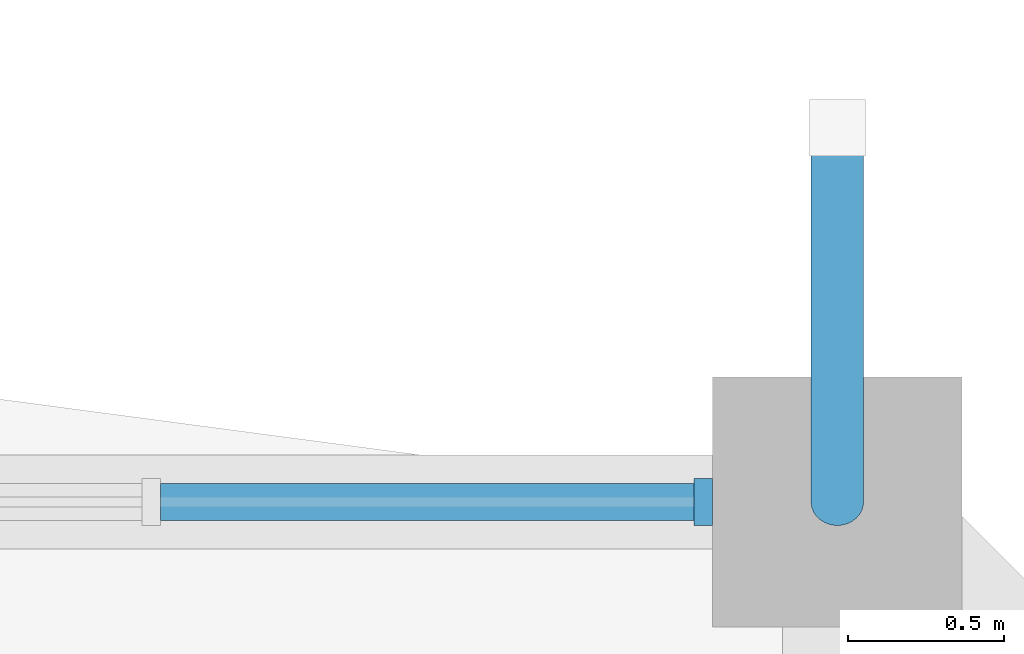
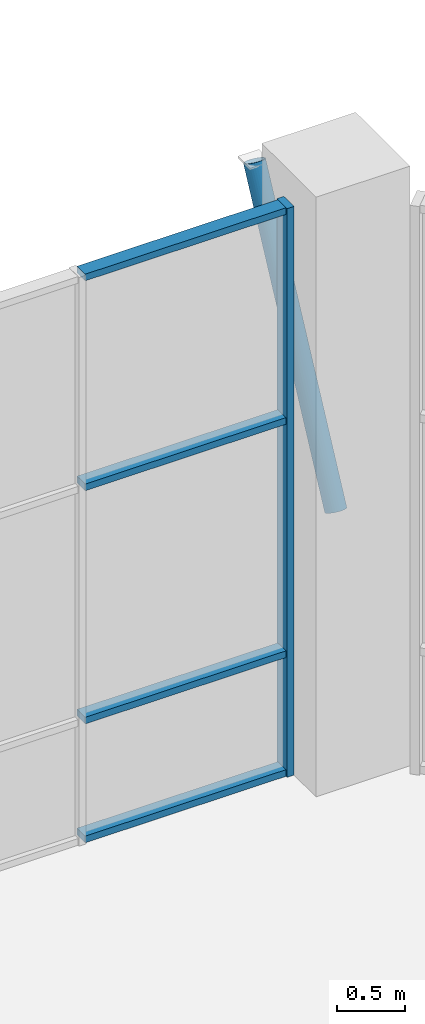
# One storey, part 47 of 122: 6 members, 1 element without a shape of its own.
"""IFC4 building model written with IfcOpenShell, lengths in metres."""

import ifcopenshell
import ifcopenshell.guid

model = None  # the IFC model being written
_history = None  # IfcOwnerHistory: only IFC2X3 demands one
_inside = {}  # id of a spatial element -> (the spatial element, [elements in it])
_under = {}  # id of a project, library or spatial element -> (it, [spatial elements below it])
_declared = {}  # id of a project -> (the project, [libraries it declares])
_typed = {}  # id of a type object -> (the type object, [elements of that type])
_made_of = {}  # id of a material, layer set ... -> (it, [elements and type objects made of it])


def new_model(schema):
    """Start an empty IFC model of exactly this schema.

    Asked for "IFC4X3", IfcOpenShell would pick the latest addendum, in which some entities
    have other attributes; the version numbers below select the first issue.
    IFC2X3 requires an IfcOwnerHistory on every rooted entity: one is made here for all.
    """
    global model, _history
    if schema == "IFC4X3":
        model = ifcopenshell.file(schema_version=(4, 3, 0, 0))
    else:
        model = ifcopenshell.file(schema=schema)
    _inside.clear()
    _under.clear()
    _declared.clear()
    _typed.clear()
    _made_of.clear()
    _history = None
    if model.schema == "IFC2X3":
        org = make("IfcOrganization", Name="unknown")
        user = make(
            "IfcPersonAndOrganization",
            ThePerson=make("IfcPerson", FamilyName="unknown"),
            TheOrganization=org,
        )
        app = make(
            "IfcApplication",
            ApplicationDeveloper=org,
            Version="unknown",
            ApplicationFullName="unknown",
            ApplicationIdentifier="unknown",
        )
        _history = make(
            "IfcOwnerHistory",
            OwningUser=user,
            OwningApplication=app,
            ChangeAction="ADDED",
            CreationDate=0,
        )
    return model


def make(cls, **values):
    """One entity of the class cls with the attributes given. An attribute that is None is left unset."""
    return model.create_entity(
        cls, **{name: value for name, value in values.items() if value is not None}
    )


def rooted(cls, **values):
    """An entity with a GlobalId (a new one), such as an element, a storey or a relation."""
    return make(cls, GlobalId=ifcopenshell.guid.new(), OwnerHistory=_history, **values)


def si_unit(unit_type, name, prefix=None):
    """IfcSIUnit, for example si_unit("LENGTHUNIT", "METRE", prefix="MILLI")."""
    return make("IfcSIUnit", UnitType=unit_type, Prefix=prefix, Name=name)


def assignment(units):
    """IfcUnitAssignment: the units of a project."""
    return None if units is None else make("IfcUnitAssignment", Units=units)


def point(xyz):
    """IfcCartesianPoint."""
    return None if xyz is None else make("IfcCartesianPoint", Coordinates=xyz)


def direction(xyz):
    """IfcDirection."""
    return None if xyz is None else make("IfcDirection", DirectionRatios=xyz)


def frame(location, z_axis=None, x_axis=None):
    """IfcAxis2Placement3D, a coordinate frame: its origin and axes. An axis left out is left unset."""
    return make(
        "IfcAxis2Placement3D",
        Location=point(location),
        Axis=direction(z_axis),
        RefDirection=direction(x_axis),
    )


def frame_2d(location, x_axis=None):
    """IfcAxis2Placement2D, a coordinate frame in the plane: its origin and x axis."""
    return make(
        "IfcAxis2Placement2D", Location=point(location), RefDirection=direction(x_axis)
    )


def origin():
    """The frame at (0, 0, 0) with its axes left unset."""
    return frame((0.0, 0.0, 0.0))


def origin_2d():
    """The frame at (0, 0) in the plane with its x axis left unset."""
    return frame_2d((0.0, 0.0))


def place(relative_to, where):
    """IfcLocalPlacement: puts the frame where relative to a parent placement (None: the world)."""
    return make(
        "IfcLocalPlacement", PlacementRelTo=relative_to, RelativePlacement=where
    )


def context(
    kind, dimensions, precision=None, world=None, true_north=None, identifier=None
):
    """IfcGeometricRepresentationContext, for example the 3D "Model" context."""
    return make(
        "IfcGeometricRepresentationContext",
        ContextIdentifier=identifier,
        ContextType=kind,
        CoordinateSpaceDimension=dimensions,
        Precision=precision,
        WorldCoordinateSystem=world,
        TrueNorth=true_north,
    )


def subcontext(parent, identifier, kind, view, scale=None):
    """IfcGeometricRepresentationSubContext, for example "Body" below "Model"."""
    return make(
        "IfcGeometricRepresentationSubContext",
        ContextIdentifier=identifier,
        ContextType=kind,
        ParentContext=parent,
        TargetScale=scale,
        TargetView=view,
    )


def project(units=None, contexts=None):
    """IfcProject with its units and contexts."""
    return rooted(
        "IfcProject",
        Name="project",
        RepresentationContexts=contexts,
        UnitsInContext=assignment(units),
    )


def spatial(cls, under=None, at=None, **own):
    """A site, building, storey or space (cls), placed at a placement, below another one or the project."""
    s = rooted(cls, ObjectPlacement=at, **own)
    if under is not None:
        _under.setdefault(under.id(), (under, []))[1].append(s)
    return s


def profile(cls, at=None, kind="AREA", **sizes):
    """A parametric profile (cls). Its sizes go by their IFC names, for example OverallWidth=200.0."""
    return make(cls, ProfileType=kind, Position=at, **sizes)


def rectangle(**sizes):
    """IfcRectangleProfileDef."""
    return profile("IfcRectangleProfileDef", **sizes)


def hollow_circle(**sizes):
    """IfcCircleHollowProfileDef."""
    return profile("IfcCircleHollowProfileDef", **sizes)


def extrude(swept, where, along, depth):
    """IfcExtrudedAreaSolid: the profile swept, set in the frame where, extruded along a direction by depth."""
    return make(
        "IfcExtrudedAreaSolid",
        SweptArea=swept,
        Position=where,
        ExtrudedDirection=direction(along),
        Depth=depth,
    )


def shape(context_of_items, identifier, shape_type, items):
    """IfcShapeRepresentation: the items that make up one representation, for example the "Body"."""
    return make(
        "IfcShapeRepresentation",
        ContextOfItems=context_of_items,
        RepresentationIdentifier=identifier,
        RepresentationType=shape_type,
        Items=items,
    )


def material(Name=None, Category=None):
    """IfcMaterial."""
    return make("IfcMaterial", Name=Name, Category=Category)


def material_profile(
    of_material, cross_section, Name=None, Category=None, Priority=None
):
    """IfcMaterialProfile: a cross section and its material."""
    return make(
        "IfcMaterialProfile",
        Name=Name,
        Material=of_material,
        Profile=cross_section,
        Priority=Priority,
        Category=Category,
    )


def profile_set(profiles, Name=None, composite=None):
    """IfcMaterialProfileSet."""
    return make(
        "IfcMaterialProfileSet",
        Name=Name,
        MaterialProfiles=profiles,
        CompositeProfile=composite,
    )


def made_of(thing, what):
    """Note that an element or type object is made of a material, layer set ...; save() writes the relation."""
    if what is not None:
        _made_of.setdefault(what.id(), (what, []))[1].append(thing)
    return thing


def type_object(cls, material=None, **own):
    """A type object (cls), such as IfcWallType, which elements share."""
    return made_of(rooted(cls, **own), material)


def element(
    cls,
    number,
    at=None,
    inside=None,
    cuts=None,
    type_object=None,
    material=None,
    context=None,
    identifier="Body",
    shape_type=None,
    held_by="IfcProductDefinitionShape",
    body=None,
    shapes=None,
    **own,
):
    """One element of the class cls, such as IfcWall. Its Tag is "e" and its number.

    at: its placement. inside: the storey or other place that contains it. cuts: it is an
    opening in that element (IfcRelVoidsElement). A single representation is given by context,
    identifier, shape_type and body (its items); several are given by shapes. held_by: the class
    of the entity that holds the representations. save() writes the other relations.
    """
    e = rooted(cls, Tag="e%d" % number, ObjectPlacement=at, **own)
    if body is not None:
        shapes = [shape(context, identifier, shape_type, body)]
    if shapes is not None:
        e.Representation = make(held_by, Representations=shapes)
    if inside is not None:
        _inside.setdefault(inside.id(), (inside, []))[1].append(e)
    if cuts is not None:
        rooted(
            "IfcRelVoidsElement", RelatingBuildingElement=cuts, RelatedOpeningElement=e
        )
    if type_object is not None:
        _typed.setdefault(type_object.id(), (type_object, []))[1].append(e)
    return made_of(e, material)


def aggregate(whole, parts):
    """IfcRelAggregates: a whole, such as a stair, and the parts it consists of."""
    return rooted("IfcRelAggregates", RelatingObject=whole, RelatedObjects=parts)


def save(model, path):
    """Write the relations noted so far, then the file.

    IfcRelAggregates (storeys below a building ...), IfcRelContainedInSpatialStructure (elements
    in a storey), IfcRelDefinesByType, IfcRelAssociatesMaterial and IfcRelDeclares: one each for
    every whole, place, type object, material and project.
    """
    for whole, parts in _under.values():
        aggregate(whole, parts)
    for where, things in _inside.values():
        rooted(
            "IfcRelContainedInSpatialStructure",
            RelatedElements=things,
            RelatingStructure=where,
        )
    for kind, things in _typed.values():
        rooted("IfcRelDefinesByType", RelatedObjects=things, RelatingType=kind)
    for what, things in _made_of.values():
        rooted("IfcRelAssociatesMaterial", RelatedObjects=things, RelatingMaterial=what)
    for by, libraries in _declared.values():
        rooted("IfcRelDeclares", RelatingContext=by, RelatedDefinitions=libraries)
    model.write(path)


model = new_model("IFC4")

# Units and contexts
model_context = context("Model", 3, precision=1e-05, world=origin(), true_north=direction((0.0, 1.0)))
body_context = subcontext(model_context, "Body", "Model", "MODEL_VIEW")
ifc_project = project(units=[si_unit("LENGTHUNIT", "METRE"), si_unit("AREAUNIT", "SQUARE_METRE"), si_unit("VOLUMEUNIT", "CUBIC_METRE"), si_unit("PLANEANGLEUNIT", "RADIAN"), si_unit("MASSUNIT", "GRAM", prefix="KILO")], contexts=[model_context])

# Site, building, storey
site_placement = place(None, origin())
site = spatial("IfcSite", under=ifc_project, at=site_placement, CompositionType="ELEMENT")
building_placement = place(site_placement, origin())
building = spatial("IfcBuilding", under=site, at=building_placement, Name="Tenunan Teduh Sports Hall", CompositionType="ELEMENT")
storey_placement = place(building_placement, frame((0.0, 0.0, 5.39990234375)))
storey = spatial("IfcBuildingStorey", under=building, at=storey_placement, Name="L01", CompositionType="ELEMENT", Elevation=5.39990234375)

# Curtain wall, members
ifc_material_1 = material(Name="Anodised aluminium", Category="aluminium")
curtain_wall_type = type_object("IfcCurtainWallType", Name="CW-UNIT-1", PredefinedType="NOTDEFINED", material=ifc_material_1)
curtain_wall_placement = place(storey_placement, origin())
curtain_wall = element("IfcCurtainWall", 1, at=curtain_wall_placement, inside=storey, type_object=curtain_wall_type, Name="CW-CWM-150-L01-207", PredefinedType="NOTDEFINED")
ifc_material_2 = material(Name="Anodised aluminium", Category="aluminium")
ifc_material_profile_1 = material_profile(ifc_material_2, rectangle(XDim=0.06005859375, YDim=0.14990234375, at=origin_2d()), Name="CWM 60x150")
ifc_profile_set_1 = profile_set([ifc_material_profile_1], Name="Anodised aluminium")
member_type_1 = type_object("IfcMemberType", Name="CWM-150", PredefinedType="MULLION", material=ifc_profile_set_1)
member_1_placement = place(storey_placement, frame((69.570068359375, 118.0, 0.0), z_axis=(0.0, 0.0, 1.0), x_axis=(1.0, 0.0, 0.0)))
member_1 = element("IfcMember", 2, at=member_1_placement, type_object=member_type_1, Name="CW-01 mullion 5", PredefinedType="MULLION", context=body_context, shape_type="SweptSolid", body=[
    extrude(rectangle(XDim=0.06005859375, YDim=0.14990234375, at=origin_2d()), origin(), (0.0, 0.0, 1.0), 5.1201171875),
])
ifc_material_3 = material(Name="Anodised aluminium", Category="aluminium")
ifc_material_profile_2 = material_profile(ifc_material_3, rectangle(XDim=0.06005859375, YDim=0.1201171875, at=origin_2d()), Name="CWT 60x120")
ifc_profile_set_2 = profile_set([ifc_material_profile_2], Name="Anodised aluminium")
member_type_2 = type_object("IfcMemberType", Name="CWT-125", PredefinedType="USERDEFINED", material=ifc_profile_set_2)
member_2_placement = place(storey_placement, frame((67.830078125, 118.0, 0.030029296875), z_axis=(1.0, 0.0, 0.0), x_axis=(0.0, 0.0, 1.0)))
member_2 = element("IfcMember", 3, at=member_2_placement, type_object=member_type_2, Name="CW-01 transom 4.1", ObjectType="TRANSOM", PredefinedType="USERDEFINED", context=body_context, shape_type="SweptSolid", body=[
    extrude(rectangle(XDim=0.06005859375, YDim=0.1201171875, at=origin_2d()), origin(), (0.0, 0.0, 1.0), 1.7099609375),
])
member_3_placement = place(storey_placement, frame((67.830078125, 118.0, 1.10009765625), z_axis=(1.0, 0.0, 0.0), x_axis=(0.0, 0.0, 1.0)))
member_3 = element("IfcMember", 4, at=member_3_placement, type_object=member_type_2, Name="CW-01 transom 4.2", ObjectType="TRANSOM", PredefinedType="USERDEFINED", context=body_context, shape_type="SweptSolid", body=[
    extrude(rectangle(XDim=0.06005859375, YDim=0.1201171875, at=origin_2d()), origin(), (0.0, 0.0, 1.0), 1.7099609375),
])
member_4_placement = place(storey_placement, frame((67.830078125, 118.0, 3.2001953125), z_axis=(1.0, 0.0, 0.0), x_axis=(0.0, 0.0, 1.0)))
member_4 = element("IfcMember", 5, at=member_4_placement, type_object=member_type_2, Name="CW-01 transom 4.3", ObjectType="TRANSOM", PredefinedType="USERDEFINED", context=body_context, shape_type="SweptSolid", body=[
    extrude(rectangle(XDim=0.06005859375, YDim=0.1201171875, at=origin_2d()), origin(), (0.0, 0.0, 1.0), 1.7099609375),
])
member_5_placement = place(storey_placement, frame((67.830078125, 118.0, 5.090087890625), z_axis=(1.0, 0.0, 0.0), x_axis=(0.0, 0.0, 1.0)))
member_5 = element("IfcMember", 6, at=member_5_placement, type_object=member_type_2, Name="CW-01 transom 4.4", ObjectType="TRANSOM", PredefinedType="USERDEFINED", context=body_context, shape_type="SweptSolid", body=[
    extrude(rectangle(XDim=0.06005859375, YDim=0.1201171875, at=origin_2d()), origin(), (0.0, 0.0, 1.0), 1.7099609375),
])
aggregate(curtain_wall, [member_1, member_2, member_3, member_4, member_5])

# Member
ifc_material_4 = material(Name="Steel S355", Category="steel")
ifc_material_profile_3 = material_profile(ifc_material_4, hollow_circle(Radius=0.084228515625, WallThickness=0.008056640625, at=origin_2d()), Name="CHS 168.3x8.0")
ifc_profile_set_3 = profile_set([ifc_material_profile_3], Name="Steel S355")
member_type_3 = type_object("IfcMemberType", Name="MEM-BR-CHS168", PredefinedType="BRACE", material=ifc_profile_set_3)
member_6_placement = place(storey_placement, frame((70.0, 118.0, 2.2001953125), z_axis=(0.0, 0.444246482761, 0.895904605722), x_axis=(-1.0, 0.0, 0.0)))
element("IfcMember", 7, at=member_6_placement, inside=storey, type_object=member_type_3, Name="MEM-GD-04-L01-1187", PredefinedType="BRACE", context=body_context, shape_type="SweptSolid", body=[
    extrude(hollow_circle(Radius=0.084228515625, WallThickness=0.008056640625, at=origin_2d()), origin(), (0.0, 0.0, 1.0), 2.701171875),
])

save(model, "model.ifc")
